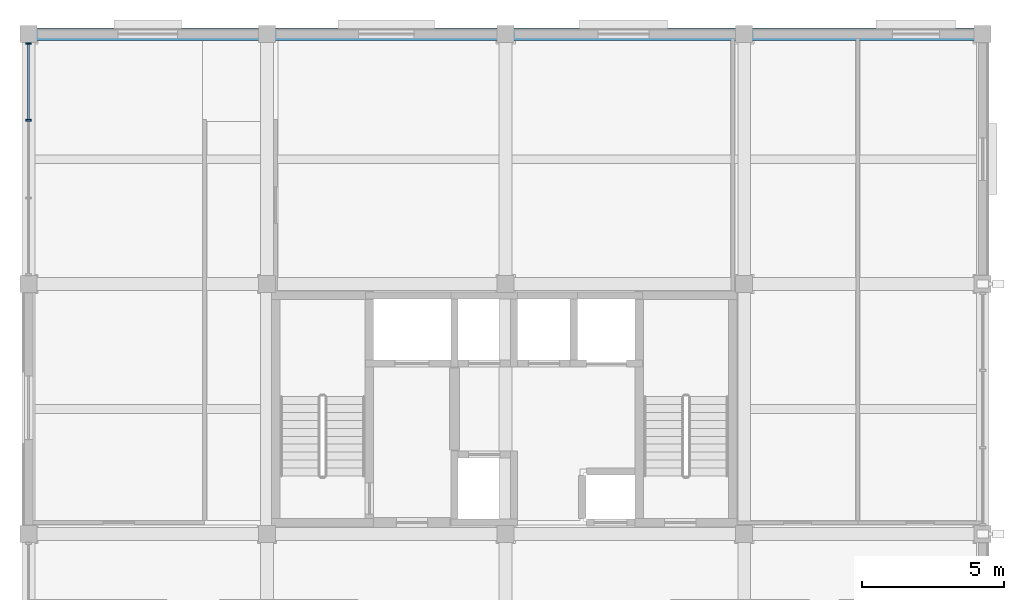
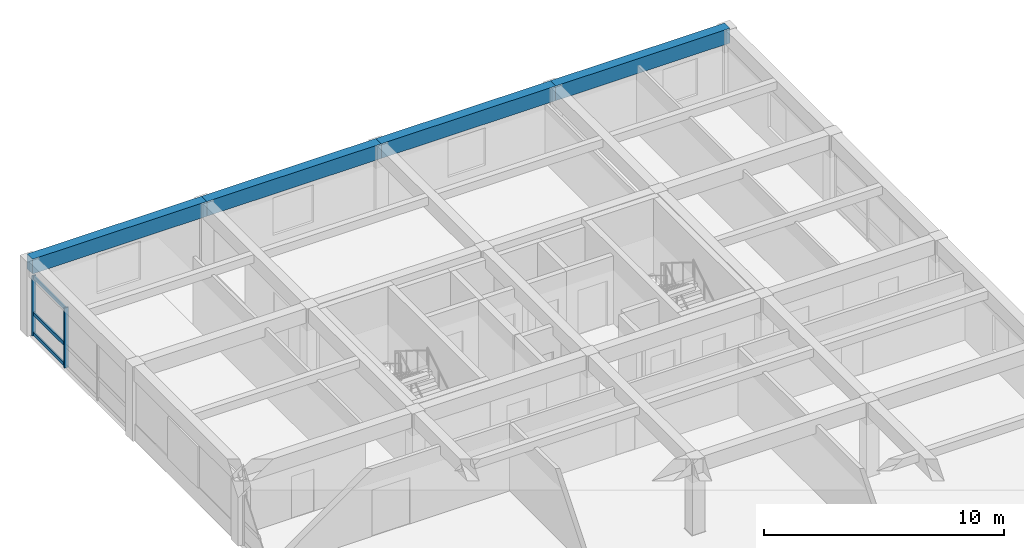
# One storey, part 5 of 12: 5 members, 4 beams, 1 element without a shape of its own.
"""IFC4 building model written with IfcOpenShell, lengths in metres."""

from ifc_helpers import new_model, si_unit, direction, frame, origin, origin_2d, place, context, subcontext, project, spatial, rectangle, extrude, material, material_profile, profile_set, type_object, element, aggregate, save


model = new_model("IFC4")

# Units and contexts
model_context = context("Model", 3, precision=1e-05, world=origin(), true_north=direction((0.0, 1.0)))
body_context = subcontext(model_context, "Body", "Model", "MODEL_VIEW")
ifc_project = project(units=[si_unit("LENGTHUNIT", "METRE"), si_unit("AREAUNIT", "SQUARE_METRE"), si_unit("VOLUMEUNIT", "CUBIC_METRE"), si_unit("PLANEANGLEUNIT", "RADIAN"), si_unit("MASSUNIT", "GRAM", prefix="KILO")], contexts=[model_context])

# Site, building, storey
site_placement = place(None, origin())
site = spatial("IfcSite", under=ifc_project, at=site_placement, CompositionType="ELEMENT")
building_placement = place(site_placement, origin())
building = spatial("IfcBuilding", under=site, at=building_placement, Name="Kemercrest Conservatory and Botanical Centre", CompositionType="ELEMENT")
storey_placement = place(building_placement, frame((0.0, 0.0, 52.199951171875)))
storey = spatial("IfcBuildingStorey", under=building, at=storey_placement, Name="L13", CompositionType="ELEMENT", Elevation=52.199951171875)

# Curtain wall, members
ifc_material_1 = material(Name="Thermally broken aluminium and triple low-e glazing", Category="aluminium")
curtain_wall_type = type_object("IfcCurtainWallType", Name="CW-18", PredefinedType="USERDEFINED", material=ifc_material_1)
curtain_wall_placement = place(storey_placement, origin())
curtain_wall = element("IfcCurtainWall", 1, at=curtain_wall_placement, inside=storey, type_object=curtain_wall_type, Name="Unitised curtain wall CW-18 (CW:L13:V4-137)", ObjectType="UNITISED CURTAIN WALL", PredefinedType="USERDEFINED")
ifc_material_2 = material(Name="Thermally broken anodized aluminium 6063-T6", Category="aluminium")
ifc_material_profile_1 = material_profile(ifc_material_2, rectangle(XDim=0.199951171875, YDim=0.06494140625, at=origin_2d()), Name="AL MULLION 65x200")
ifc_profile_set_1 = profile_set([ifc_material_profile_1], Name="Thermally broken anodized aluminium 6063-T6")
member_type_1 = type_object("IfcMemberType", Name="CW-M200", PredefinedType="MULLION", material=ifc_profile_set_1)
member_1_placement = place(storey_placement, frame((142.39990234375, 122.072509765625, 0.0), z_axis=(0.0, 0.0, 1.0), x_axis=(1.0, 0.0, 0.0)))
member_1 = element("IfcMember", 2, at=member_1_placement, type_object=member_type_1, Name="CW-18 mullion 1", PredefinedType="MULLION", context=body_context, shape_type="SweptSolid", body=[
    extrude(rectangle(XDim=0.199951171875, YDim=0.06494140625, at=origin_2d()), origin(), (0.0, 0.0, 1.0), 3.054931640625),
])
member_2_placement = place(storey_placement, frame((142.39990234375, 119.368408203125, 0.0), z_axis=(0.0, 0.0, 1.0), x_axis=(1.0, 0.0, 0.0)))
member_2 = element("IfcMember", 3, at=member_2_placement, type_object=member_type_1, Name="CW-18 mullion 2", PredefinedType="MULLION", context=body_context, shape_type="SweptSolid", body=[
    extrude(rectangle(XDim=0.199951171875, YDim=0.06494140625, at=origin_2d()), origin(), (0.0, 0.0, 1.0), 3.054931640625),
])
ifc_material_profile_2 = material_profile(ifc_material_2, rectangle(XDim=0.074951171875, YDim=0.179931640625, at=origin_2d()), Name="AL TRANSOM 75x180")
ifc_profile_set_2 = profile_set([ifc_material_profile_2], Name="Thermally broken anodized aluminium 6063-T6")
member_type_2 = type_object("IfcMemberType", Name="CW-T180", PredefinedType="USERDEFINED", material=ifc_profile_set_2)
member_3_placement = place(storey_placement, frame((142.39990234375, 122.0400390625, 0.090087890625), z_axis=(0.0, -1.0, 0.0), x_axis=(1.0, 0.0, 0.0)))
member_3 = element("IfcMember", 4, at=member_3_placement, type_object=member_type_2, Name="CW-18 transom 1.1", ObjectType="TRANSOM", PredefinedType="USERDEFINED", context=body_context, shape_type="SweptSolid", body=[
    extrude(rectangle(XDim=0.074951171875, YDim=0.179931640625, at=origin_2d()), origin(), (0.0, 0.0, 1.0), 2.63916015625),
])
member_4_placement = place(storey_placement, frame((142.39990234375, 122.0400390625, 1.1201171875), z_axis=(0.0, -1.0, 0.0), x_axis=(1.0, 0.0, 0.0)))
member_4 = element("IfcMember", 5, at=member_4_placement, type_object=member_type_2, Name="CW-18 transom 1.2", ObjectType="TRANSOM", PredefinedType="USERDEFINED", context=body_context, shape_type="SweptSolid", body=[
    extrude(rectangle(XDim=0.074951171875, YDim=0.179931640625, at=origin_2d()), origin(), (0.0, 0.0, 1.0), 2.63916015625),
])
member_5_placement = place(storey_placement, frame((142.39990234375, 122.0400390625, 2.965087890625), z_axis=(0.0, -1.0, 0.0), x_axis=(1.0, 0.0, 0.0)))
member_5 = element("IfcMember", 6, at=member_5_placement, type_object=member_type_2, Name="CW-18 transom 1.3", ObjectType="TRANSOM", PredefinedType="USERDEFINED", context=body_context, shape_type="SweptSolid", body=[
    extrude(rectangle(XDim=0.074951171875, YDim=0.179931640625, at=origin_2d()), origin(), (0.0, 0.0, 1.0), 2.63916015625),
])
aggregate(curtain_wall, [member_1, member_2, member_3, member_4, member_5])

# Beams
ifc_material_3 = material(Name="Concrete C40/50", Category="concrete")
ifc_material_profile_3 = material_profile(ifc_material_3, rectangle(XDim=0.449951171875, YDim=0.75, at=origin_2d()), Name="RC 450x750")
ifc_profile_set_3 = profile_set([ifc_material_profile_3], Name="Concrete C40/50")
beam_type = type_object("IfcBeamType", Name="SP-RC75", PredefinedType="SPANDREL", material=ifc_profile_set_3)
beam_1_placement = place(storey_placement, frame((142.39990234375, 122.39990234375, 3.425048828125), z_axis=(1.0, 0.0, 0.0), x_axis=(0.0, 1.0, 0.0)))
element("IfcBeam", 7, at=beam_1_placement, inside=storey, type_object=beam_type, Name="V4-L14 beam SP-RC75 P/17-18", PredefinedType="SPANDREL", context=body_context, shape_type="SweptSolid", body=[
    extrude(rectangle(XDim=0.449951171875, YDim=0.75, at=origin_2d()), origin(), (0.0, 0.0, 1.0), 8.400146484375),
])
beam_2_placement = place(storey_placement, frame((150.800048828125, 122.39990234375, 3.425048828125), z_axis=(1.0, 0.0, 0.0), x_axis=(0.0, 1.0, 0.0)))
element("IfcBeam", 8, at=beam_2_placement, inside=storey, type_object=beam_type, Name="V4-L14 beam SP-RC75 P/18-19", PredefinedType="SPANDREL", context=body_context, shape_type="SweptSolid", body=[
    extrude(rectangle(XDim=0.449951171875, YDim=0.75, at=origin_2d()), origin(), (0.0, 0.0, 1.0), 8.39990234375),
])
beam_3_placement = place(storey_placement, frame((159.199951171875, 122.39990234375, 3.425048828125), z_axis=(1.0, 0.0, 0.0), x_axis=(0.0, 1.0, 0.0)))
element("IfcBeam", 9, at=beam_3_placement, inside=storey, type_object=beam_type, Name="V4-L14 beam SP-RC75 P/19-20", PredefinedType="SPANDREL", context=body_context, shape_type="SweptSolid", body=[
    extrude(rectangle(XDim=0.449951171875, YDim=0.75, at=origin_2d()), origin(), (0.0, 0.0, 1.0), 8.400146484375),
])
beam_4_placement = place(storey_placement, frame((167.60009765625, 122.39990234375, 3.425048828125), z_axis=(1.0, 0.0, 0.0), x_axis=(0.0, 1.0, 0.0)))
element("IfcBeam", 10, at=beam_4_placement, inside=storey, type_object=beam_type, Name="V4-L14 beam SP-RC75 P/20-21", PredefinedType="SPANDREL", context=body_context, shape_type="SweptSolid", body=[
    extrude(rectangle(XDim=0.449951171875, YDim=0.75, at=origin_2d()), origin(), (0.0, 0.0, 1.0), 8.39990234375),
])

save(model, "model.ifc")
